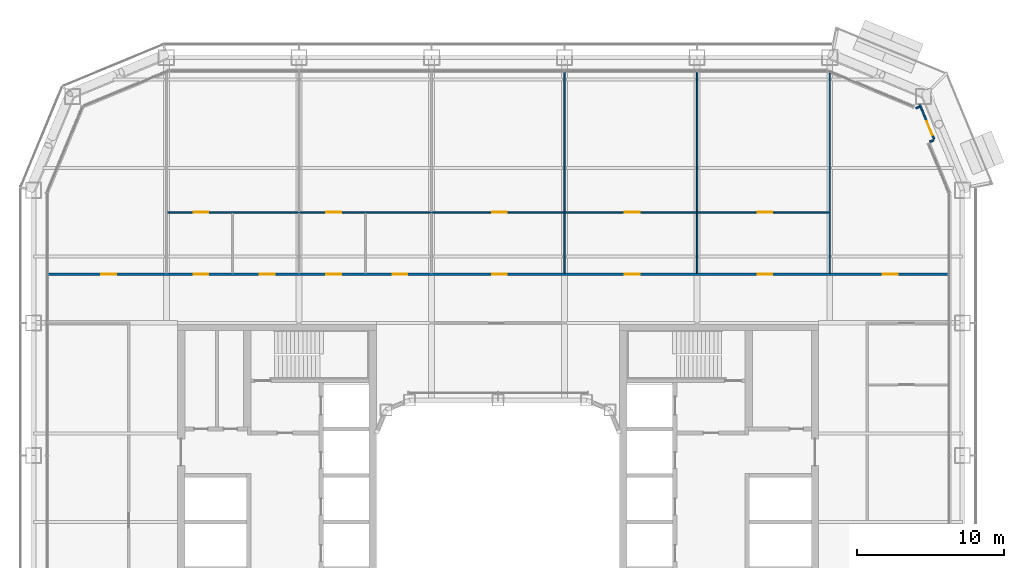
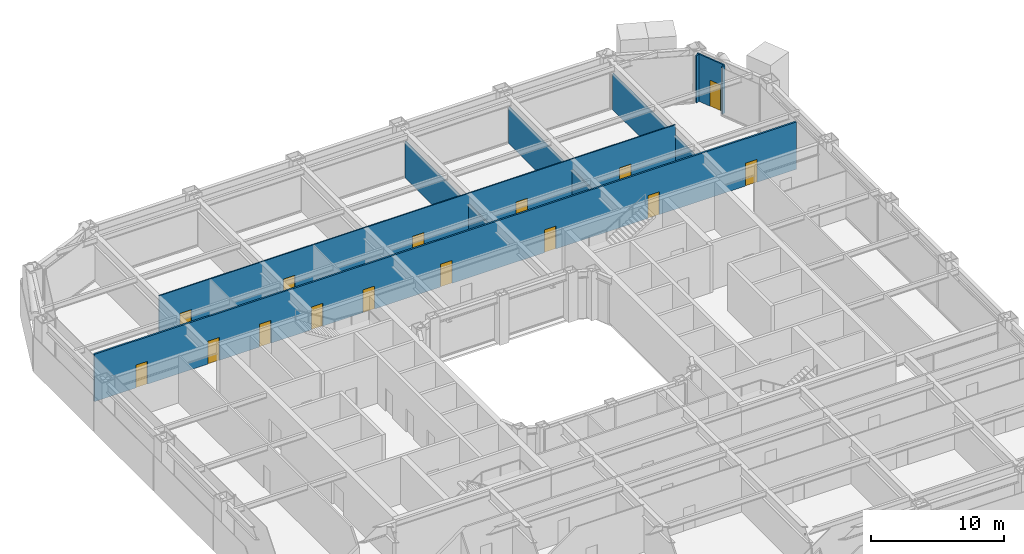
# One storey, part 16 of 30: 15 doors, 10 walls, 15 openings.
"""IFC4 building model written with IfcOpenShell, lengths in metres."""

from ifc_helpers import new_model, si_unit, direction, frame, frame_2d, origin, place, context, subcontext, project, spatial, rectangle, extrude, material, layer, layer_set, type_object, element, fill, save


model = new_model("IFC4")

# Units and contexts
model_context = context("Model", 3, precision=1e-05, world=origin(), true_north=direction((0.0, 1.0)))
body_context = subcontext(model_context, "Body", "Model", "MODEL_VIEW")
ifc_project = project(units=[si_unit("LENGTHUNIT", "METRE"), si_unit("AREAUNIT", "SQUARE_METRE"), si_unit("VOLUMEUNIT", "CUBIC_METRE"), si_unit("PLANEANGLEUNIT", "RADIAN"), si_unit("MASSUNIT", "GRAM", prefix="KILO")], contexts=[model_context])

# Site, building, storey
site_placement = place(None, origin())
site = spatial("IfcSite", under=ifc_project, at=site_placement, CompositionType="ELEMENT")
building_placement = place(site_placement, origin())
building = spatial("IfcBuilding", under=site, at=building_placement, Name="Siwar Civic Tower", CompositionType="ELEMENT")
storey_placement = place(building_placement, frame((0.0, 0.0, 44.699951171875)))
storey = spatial("IfcBuildingStorey", under=building, at=storey_placement, Name="L09", CompositionType="ELEMENT", Elevation=44.699951171875)

# Wall, openings, doors
ifc_material_1 = material(Name="Gypsum board on steel studs", Category="steel")
ifc_layer_1 = layer(ifc_material_1, 0.14990234375)
ifc_layer_set_1 = layer_set([ifc_layer_1], Name="Gypsum board on steel studs")
wall_type_1 = type_object("IfcWallType", Name="CORRIDOR PARTITION 150 EI 30", PredefinedType="PARTITIONING", material=ifc_layer_set_1)
wall_1_placement = place(storey_placement, frame((-30.510009765625, 16.800048828125, 0.0), z_axis=(0.0, 0.0, 1.0), x_axis=(1.0, 0.0, 0.0)))
wall_1 = element("IfcWall", 1, at=wall_1_placement, inside=storey, type_object=wall_type_1, Name="L09/wall/P14", PredefinedType="PARTITIONING", context=body_context, shape_type="SweptSolid", body=[
    extrude(rectangle(XDim=61.02001953125, YDim=0.14990234375, at=frame_2d((30.510009765625, 0.0))), origin(), (0.0, 0.0, 1.0), 4.35009765625),
])
opening_1_placement = place(wall_1_placement, frame((9.860107421875, 0.0, 0.0)))
opening_1 = element("IfcOpeningElement", 2, at=opening_1_placement, cuts=wall_1, Name="Opening D1", PredefinedType="OPENING", context=body_context, shape_type="SweptSolid", body=[
    extrude(rectangle(XDim=1.0, YDim=2.10009765625, at=frame_2d((0.5, 1.050048828125))), frame((0.0, 0.0849609375, 0.0), z_axis=(0.0, -1.0, 0.0), x_axis=(1.0, 0.0, 0.0)), (0.0, 0.0, 1.0), 0.169921875),
])
opening_2_placement = place(wall_1_placement, frame((14.360107421875, 0.0, 0.0)))
opening_2 = element("IfcOpeningElement", 3, at=opening_2_placement, cuts=wall_1, Name="Opening D1", PredefinedType="OPENING", context=body_context, shape_type="SweptSolid", body=[
    extrude(rectangle(XDim=1.0, YDim=2.10009765625, at=frame_2d((0.5, 1.050048828125))), frame((0.0, 0.0849609375, 0.0), z_axis=(0.0, -1.0, 0.0), x_axis=(1.0, 0.0, 0.0)), (0.0, 0.0, 1.0), 0.169921875),
])
opening_3_placement = place(wall_1_placement, frame((18.860107421875, 0.0, 0.0)))
opening_3 = element("IfcOpeningElement", 4, at=opening_3_placement, cuts=wall_1, Name="Opening D1", PredefinedType="OPENING", context=body_context, shape_type="SweptSolid", body=[
    extrude(rectangle(XDim=1.0, YDim=2.10009765625, at=frame_2d((0.5, 1.050048828125))), frame((0.0, 0.0849609375, 0.0), z_axis=(0.0, -1.0, 0.0), x_axis=(1.0, 0.0, 0.0)), (0.0, 0.0, 1.0), 0.169921875),
])
opening_4_placement = place(wall_1_placement, frame((23.360107421875, 0.0, 0.0)))
opening_4 = element("IfcOpeningElement", 5, at=opening_4_placement, cuts=wall_1, Name="Opening D1", PredefinedType="OPENING", context=body_context, shape_type="SweptSolid", body=[
    extrude(rectangle(XDim=1.0, YDim=2.10009765625, at=frame_2d((0.5, 1.050048828125))), frame((0.0, 0.0849609375, 0.0), z_axis=(0.0, -1.0, 0.0), x_axis=(1.0, 0.0, 0.0)), (0.0, 0.0, 1.0), 0.169921875),
])
opening_5_placement = place(wall_1_placement, frame((30.110107421875, 0.0, 0.0)))
opening_5 = element("IfcOpeningElement", 6, at=opening_5_placement, cuts=wall_1, Name="Opening D1", PredefinedType="OPENING", context=body_context, shape_type="SweptSolid", body=[
    extrude(rectangle(XDim=1.0, YDim=2.10009765625, at=frame_2d((0.5, 1.050048828125))), frame((0.0, 0.0849609375, 0.0), z_axis=(0.0, -1.0, 0.0), x_axis=(1.0, 0.0, 0.0)), (0.0, 0.0, 1.0), 0.169921875),
])
opening_6_placement = place(wall_1_placement, frame((39.110107421875, 0.0, 0.0)))
opening_6 = element("IfcOpeningElement", 7, at=opening_6_placement, cuts=wall_1, Name="Opening D1", PredefinedType="OPENING", context=body_context, shape_type="SweptSolid", body=[
    extrude(rectangle(XDim=1.0, YDim=2.10009765625, at=frame_2d((0.5, 1.050048828125))), frame((0.0, 0.0849609375, 0.0), z_axis=(0.0, -1.0, 0.0), x_axis=(1.0, 0.0, 0.0)), (0.0, 0.0, 1.0), 0.169921875),
])
opening_7_placement = place(wall_1_placement, frame((48.110107421875, 0.0, 0.0)))
opening_7 = element("IfcOpeningElement", 8, at=opening_7_placement, cuts=wall_1, Name="Opening D1", PredefinedType="OPENING", context=body_context, shape_type="SweptSolid", body=[
    extrude(rectangle(XDim=1.0, YDim=2.10009765625, at=frame_2d((0.5, 1.050048828125))), frame((0.0, 0.0849609375, 0.0), z_axis=(0.0, -1.0, 0.0), x_axis=(1.0, 0.0, 0.0)), (0.0, 0.0, 1.0), 0.169921875),
])
opening_8_placement = place(wall_1_placement, frame((3.610107421875, 0.0, 0.0)))
opening_8 = element("IfcOpeningElement", 9, at=opening_8_placement, cuts=wall_1, Name="Opening D1", PredefinedType="OPENING", context=body_context, shape_type="SweptSolid", body=[
    extrude(rectangle(XDim=1.0, YDim=2.10009765625, at=frame_2d((0.5, 1.050048828125))), frame((0.0, 0.0849609375, 0.0), z_axis=(0.0, -1.0, 0.0), x_axis=(1.0, 0.0, 0.0)), (0.0, 0.0, 1.0), 0.169921875),
])
opening_9_placement = place(wall_1_placement, frame((56.6201171875, 0.0, 0.0)))
opening_9 = element("IfcOpeningElement", 10, at=opening_9_placement, cuts=wall_1, Name="Opening D1", PredefinedType="OPENING", context=body_context, shape_type="SweptSolid", body=[
    extrude(rectangle(XDim=1.0, YDim=2.10009765625, at=frame_2d((0.5, 1.050048828125))), frame((0.0, 0.0849609375, 0.0), z_axis=(0.0, -1.0, 0.0), x_axis=(1.0, 0.0, 0.0)), (0.0, 0.0, 1.0), 0.169921875),
])
ifc_material_2 = material(Name="Timber, painted", Category="wood")
door_type_1 = type_object("IfcDoorType", Name="DOOR 1000 X 2100 FD30", OperationType="SINGLE_SWING_LEFT", PredefinedType="DOOR", material=ifc_material_2)
door_1_placement = place(opening_1_placement, origin())
door_1 = element("IfcDoor", 11, at=door_1_placement, inside=storey, type_object=door_type_1, Name="L09-D01", OperationType="SINGLE_SWING_LEFT", OverallHeight=2.10009765625, OverallWidth=1.0, PredefinedType="DOOR", context=body_context, shape_type="SweptSolid", body=[
    extrude(rectangle(XDim=1.0, YDim=2.10009765625, at=frame_2d((0.5, 1.050048828125))), frame((0.0, 0.02490234375, 0.0), z_axis=(0.0, -1.0, 0.0), x_axis=(1.0, 0.0, 0.0)), (0.0, 0.0, 1.0), 0.050048828125),
])
fill(opening_1, door_1)
door_2_placement = place(opening_2_placement, origin())
door_2 = element("IfcDoor", 12, at=door_2_placement, inside=storey, type_object=door_type_1, Name="L09-D02", OperationType="SINGLE_SWING_RIGHT", OverallHeight=2.10009765625, OverallWidth=1.0, PredefinedType="DOOR", context=body_context, shape_type="SweptSolid", body=[
    extrude(rectangle(XDim=1.0, YDim=2.10009765625, at=frame_2d((0.5, 1.050048828125))), frame((0.0, 0.02490234375, 0.0), z_axis=(0.0, -1.0, 0.0), x_axis=(1.0, 0.0, 0.0)), (0.0, 0.0, 1.0), 0.050048828125),
])
fill(opening_2, door_2)
door_3_placement = place(opening_3_placement, origin())
door_3 = element("IfcDoor", 13, at=door_3_placement, inside=storey, type_object=door_type_1, Name="L09-D04", OperationType="SINGLE_SWING_RIGHT", OverallHeight=2.10009765625, OverallWidth=1.0, PredefinedType="DOOR", context=body_context, shape_type="SweptSolid", body=[
    extrude(rectangle(XDim=1.0, YDim=2.10009765625, at=frame_2d((0.5, 1.050048828125))), frame((0.0, 0.02490234375, 0.0), z_axis=(0.0, -1.0, 0.0), x_axis=(1.0, 0.0, 0.0)), (0.0, 0.0, 1.0), 0.050048828125),
])
fill(opening_3, door_3)
door_4_placement = place(opening_4_placement, origin())
door_4 = element("IfcDoor", 14, at=door_4_placement, inside=storey, type_object=door_type_1, Name="L09-D05", OperationType="SINGLE_SWING_LEFT", OverallHeight=2.10009765625, OverallWidth=1.0, PredefinedType="DOOR", context=body_context, shape_type="SweptSolid", body=[
    extrude(rectangle(XDim=1.0, YDim=2.10009765625, at=frame_2d((0.5, 1.050048828125))), frame((0.0, 0.02490234375, 0.0), z_axis=(0.0, -1.0, 0.0), x_axis=(1.0, 0.0, 0.0)), (0.0, 0.0, 1.0), 0.050048828125),
])
fill(opening_4, door_4)
door_5_placement = place(opening_5_placement, origin())
door_5 = element("IfcDoor", 15, at=door_5_placement, inside=storey, type_object=door_type_1, Name="L09-D07", OperationType="SINGLE_SWING_LEFT", OverallHeight=2.10009765625, OverallWidth=1.0, PredefinedType="DOOR", context=body_context, shape_type="SweptSolid", body=[
    extrude(rectangle(XDim=1.0, YDim=2.10009765625, at=frame_2d((0.5, 1.050048828125))), frame((0.0, 0.02490234375, 0.0), z_axis=(0.0, -1.0, 0.0), x_axis=(1.0, 0.0, 0.0)), (0.0, 0.0, 1.0), 0.050048828125),
])
fill(opening_5, door_5)
door_6_placement = place(opening_6_placement, origin())
door_6 = element("IfcDoor", 16, at=door_6_placement, inside=storey, type_object=door_type_1, Name="L09-D09", OperationType="SINGLE_SWING_LEFT", OverallHeight=2.10009765625, OverallWidth=1.0, PredefinedType="DOOR", context=body_context, shape_type="SweptSolid", body=[
    extrude(rectangle(XDim=1.0, YDim=2.10009765625, at=frame_2d((0.5, 1.050048828125))), frame((0.0, 0.02490234375, 0.0), z_axis=(0.0, -1.0, 0.0), x_axis=(1.0, 0.0, 0.0)), (0.0, 0.0, 1.0), 0.050048828125),
])
fill(opening_6, door_6)
door_7_placement = place(opening_7_placement, origin())
door_7 = element("IfcDoor", 17, at=door_7_placement, inside=storey, type_object=door_type_1, Name="L09-D11", OperationType="SINGLE_SWING_LEFT", OverallHeight=2.10009765625, OverallWidth=1.0, PredefinedType="DOOR", context=body_context, shape_type="SweptSolid", body=[
    extrude(rectangle(XDim=1.0, YDim=2.10009765625, at=frame_2d((0.5, 1.050048828125))), frame((0.0, 0.02490234375, 0.0), z_axis=(0.0, -1.0, 0.0), x_axis=(1.0, 0.0, 0.0)), (0.0, 0.0, 1.0), 0.050048828125),
])
fill(opening_7, door_7)
door_8_placement = place(opening_8_placement, origin())
door_8 = element("IfcDoor", 18, at=door_8_placement, inside=storey, type_object=door_type_1, Name="L09-D24", OperationType="SINGLE_SWING_RIGHT", OverallHeight=2.10009765625, OverallWidth=1.0, PredefinedType="DOOR", context=body_context, shape_type="SweptSolid", body=[
    extrude(rectangle(XDim=1.0, YDim=2.10009765625, at=frame_2d((0.5, 1.050048828125))), frame((0.0, 0.02490234375, 0.0), z_axis=(0.0, -1.0, 0.0), x_axis=(1.0, 0.0, 0.0)), (0.0, 0.0, 1.0), 0.050048828125),
])
fill(opening_8, door_8)
door_9_placement = place(opening_9_placement, origin())
door_9 = element("IfcDoor", 19, at=door_9_placement, inside=storey, type_object=door_type_1, Name="L09-D25", OperationType="SINGLE_SWING_LEFT", OverallHeight=2.10009765625, OverallWidth=1.0, PredefinedType="DOOR", context=body_context, shape_type="SweptSolid", body=[
    extrude(rectangle(XDim=1.0, YDim=2.10009765625, at=frame_2d((0.5, 1.050048828125))), frame((0.0, 0.02490234375, 0.0), z_axis=(0.0, -1.0, 0.0), x_axis=(1.0, 0.0, 0.0)), (0.0, 0.0, 1.0), 0.050048828125),
])
fill(opening_9, door_9)

# Walls
ifc_material_3 = material(Name="Aluminium clad insulated panel", Category="aluminium")
ifc_layer_2 = layer(ifc_material_3, 0.1201171875)
ifc_layer_set_2 = layer_set([ifc_layer_2], Name="Aluminium clad insulated panel")
wall_type_2 = type_object("IfcWallType", Name="ENV-WALL-BAL", PredefinedType="STANDARD", material=ifc_layer_set_2)
wall_2_placement = place(storey_placement, frame((29.284912109375, 25.783447265625, 0.0), z_axis=(0.0, 0.0, 1.0), x_axis=(0.923772220778, 0.382942403136, 0.0)))
element("IfcWall", 20, at=wall_2_placement, inside=storey, type_object=wall_type_2, Name="Balcony door wall return NE1", PredefinedType="STANDARD", context=body_context, shape_type="SweptSolid", body=[
    extrude(rectangle(XDim=0.27978515625, YDim=0.1201171875, at=frame_2d((0.139892578125, 0.0))), origin(), (0.0, 0.0, 1.0), 4.35009765625),
])
wall_3_placement = place(storey_placement, frame((28.3427734375, 28.057861328125, 0.0), z_axis=(0.0, 0.0, 1.0), x_axis=(0.923899985553, 0.382634050621, 0.0)))
element("IfcWall", 21, at=wall_3_placement, inside=storey, type_object=wall_type_2, Name="Balcony door wall return NE1", PredefinedType="STANDARD", context=body_context, shape_type="SweptSolid", body=[
    extrude(rectangle(XDim=0.280029296875, YDim=0.1201171875, at=frame_2d((0.14013671875, 0.0))), origin(), (0.0, 0.0, 1.0), 4.35009765625),
])

# Wall, opening, door
wall_4_placement = place(storey_placement, frame((29.575927734375, 25.968994140625, 0.0), z_axis=(0.0, 0.0, 1.0), x_axis=(-0.382640634603, 0.923897258763, 0.0)))
wall_4 = element("IfcWall", 22, at=wall_4_placement, inside=storey, type_object=wall_type_2, Name="Balcony door wall NE1", PredefinedType="STANDARD", context=body_context, shape_type="SweptSolid", body=[
    extrude(rectangle(XDim=2.5380859375, YDim=0.1201171875, at=frame_2d((1.26904296875, 0.0))), origin(), (0.0, 0.0, 1.0), 4.35009765625),
])
opening_10_placement = place(wall_4_placement, frame((0.300048828125, 0.0, 0.0)))
opening_10 = element("IfcOpeningElement", 23, at=opening_10_placement, cuts=wall_4, Name="Opening D-BAL", PredefinedType="OPENING", context=body_context, shape_type="SweptSolid", body=[
    extrude(rectangle(XDim=1.0, YDim=2.39990234375, at=frame_2d((0.5, 1.199951171875))), frame((0.0, 0.070068359375, 0.0), z_axis=(0.0, -1.0, 0.0), x_axis=(1.0, 0.0, 0.0)), (0.0, 0.0, 1.0), 0.14013671875),
])
ifc_material_4 = material(Name="Aluminium and glass", Category="aluminium")
door_type_2 = type_object("IfcDoorType", Name="ENV-DOOR-BAL", OperationType="SINGLE_SWING_LEFT", PredefinedType="DOOR", material=ifc_material_4)
door_10_placement = place(opening_10_placement, origin())
door_10 = element("IfcDoor", 24, at=door_10_placement, inside=storey, type_object=door_type_2, Name="Balcony door NE", OperationType="SINGLE_SWING_LEFT", OverallHeight=2.39990234375, OverallWidth=1.0, PredefinedType="DOOR", context=body_context, shape_type="SweptSolid", body=[
    extrude(rectangle(XDim=1.0, YDim=2.39990234375, at=frame_2d((0.5, 1.199951171875))), frame((0.0, 0.02490234375, 0.0), z_axis=(0.0, -1.0, 0.0), x_axis=(1.0, 0.0, 0.0)), (0.0, 0.0, 1.0), 0.050048828125),
])
fill(opening_10, door_10)

# Wall, openings, doors
ifc_material_5 = material(Name="Gypsum board on steel studs", Category="steel")
ifc_layer_3 = layer(ifc_material_5, 0.10009765625)
ifc_layer_set_3 = layer_set([ifc_layer_3], Name="Gypsum board on steel studs")
wall_type_3 = type_object("IfcWallType", Name="PARTITION 100 GYPSUM", PredefinedType="PARTITIONING", material=ifc_layer_set_3)
wall_5_placement = place(storey_placement, frame((-22.449951171875, 21.0, 0.0), z_axis=(0.0, 0.0, 1.0), x_axis=(1.0, 0.0, 0.0)))
wall_5 = element("IfcWall", 25, at=wall_5_placement, inside=storey, type_object=wall_type_3, Name="L09/wall/P15", PredefinedType="PARTITIONING", context=body_context, shape_type="SweptSolid", body=[
    extrude(rectangle(XDim=44.89990234375, YDim=0.10009765625, at=frame_2d((22.449951171875, 0.0))), origin(), (0.0, 0.0, 1.0), 4.35009765625),
])
opening_11_placement = place(wall_5_placement, frame((1.800048828125, 0.0, 0.0)))
opening_11 = element("IfcOpeningElement", 26, at=opening_11_placement, cuts=wall_5, Name="Opening D2", PredefinedType="OPENING", context=body_context, shape_type="SweptSolid", body=[
    extrude(rectangle(XDim=1.0, YDim=2.10009765625, at=frame_2d((0.5, 1.050048828125))), frame((0.0, 0.06005859375, 0.0), z_axis=(0.0, -1.0, 0.0), x_axis=(1.0, 0.0, 0.0)), (0.0, 0.0, 1.0), 0.1201171875),
])
opening_12_placement = place(wall_5_placement, frame((10.800048828125, 0.0, 0.0)))
opening_12 = element("IfcOpeningElement", 27, at=opening_12_placement, cuts=wall_5, Name="Opening D2", PredefinedType="OPENING", context=body_context, shape_type="SweptSolid", body=[
    extrude(rectangle(XDim=1.0, YDim=2.10009765625, at=frame_2d((0.5, 1.050048828125))), frame((0.0, 0.06005859375, 0.0), z_axis=(0.0, -1.0, 0.0), x_axis=(1.0, 0.0, 0.0)), (0.0, 0.0, 1.0), 0.1201171875),
])
opening_13_placement = place(wall_5_placement, frame((22.050048828125, 0.0, 0.0)))
opening_13 = element("IfcOpeningElement", 28, at=opening_13_placement, cuts=wall_5, Name="Opening D2", PredefinedType="OPENING", context=body_context, shape_type="SweptSolid", body=[
    extrude(rectangle(XDim=1.0, YDim=2.10009765625, at=frame_2d((0.5, 1.050048828125))), frame((0.0, 0.06005859375, 0.0), z_axis=(0.0, -1.0, 0.0), x_axis=(1.0, 0.0, 0.0)), (0.0, 0.0, 1.0), 0.1201171875),
])
opening_14_placement = place(wall_5_placement, frame((31.050048828125, 0.0, 0.0)))
opening_14 = element("IfcOpeningElement", 29, at=opening_14_placement, cuts=wall_5, Name="Opening D2", PredefinedType="OPENING", context=body_context, shape_type="SweptSolid", body=[
    extrude(rectangle(XDim=1.0, YDim=2.10009765625, at=frame_2d((0.5, 1.050048828125))), frame((0.0, 0.06005859375, 0.0), z_axis=(0.0, -1.0, 0.0), x_axis=(1.0, 0.0, 0.0)), (0.0, 0.0, 1.0), 0.1201171875),
])
opening_15_placement = place(wall_5_placement, frame((40.050048828125, 0.0, 0.0)))
opening_15 = element("IfcOpeningElement", 30, at=opening_15_placement, cuts=wall_5, Name="Opening D2", PredefinedType="OPENING", context=body_context, shape_type="SweptSolid", body=[
    extrude(rectangle(XDim=1.0, YDim=2.10009765625, at=frame_2d((0.5, 1.050048828125))), frame((0.0, 0.06005859375, 0.0), z_axis=(0.0, -1.0, 0.0), x_axis=(1.0, 0.0, 0.0)), (0.0, 0.0, 1.0), 0.1201171875),
])
ifc_material_6 = material(Name="Timber, painted", Category="wood")
door_type_3 = type_object("IfcDoorType", Name="DOOR 1000 X 2100", OperationType="SINGLE_SWING_LEFT", PredefinedType="DOOR", material=ifc_material_6)
door_11_placement = place(opening_11_placement, origin())
door_11 = element("IfcDoor", 31, at=door_11_placement, inside=storey, type_object=door_type_3, Name="L09-D03", OperationType="SINGLE_SWING_LEFT", OverallHeight=2.10009765625, OverallWidth=1.0, PredefinedType="DOOR", context=body_context, shape_type="SweptSolid", body=[
    extrude(rectangle(XDim=1.0, YDim=2.10009765625, at=frame_2d((0.5, 1.050048828125))), frame((0.0, 0.02490234375, 0.0), z_axis=(0.0, -1.0, 0.0), x_axis=(1.0, 0.0, 0.0)), (0.0, 0.0, 1.0), 0.050048828125),
])
fill(opening_11, door_11)
door_12_placement = place(opening_12_placement, origin())
door_12 = element("IfcDoor", 32, at=door_12_placement, inside=storey, type_object=door_type_3, Name="L09-D06", OperationType="SINGLE_SWING_RIGHT", OverallHeight=2.10009765625, OverallWidth=1.0, PredefinedType="DOOR", context=body_context, shape_type="SweptSolid", body=[
    extrude(rectangle(XDim=1.0, YDim=2.10009765625, at=frame_2d((0.5, 1.050048828125))), frame((0.0, 0.02490234375, 0.0), z_axis=(0.0, -1.0, 0.0), x_axis=(1.0, 0.0, 0.0)), (0.0, 0.0, 1.0), 0.050048828125),
])
fill(opening_12, door_12)
door_13_placement = place(opening_13_placement, origin())
door_13 = element("IfcDoor", 33, at=door_13_placement, inside=storey, type_object=door_type_3, Name="L09-D08", OperationType="SINGLE_SWING_RIGHT", OverallHeight=2.10009765625, OverallWidth=1.0, PredefinedType="DOOR", context=body_context, shape_type="SweptSolid", body=[
    extrude(rectangle(XDim=1.0, YDim=2.10009765625, at=frame_2d((0.5, 1.050048828125))), frame((0.0, 0.02490234375, 0.0), z_axis=(0.0, -1.0, 0.0), x_axis=(1.0, 0.0, 0.0)), (0.0, 0.0, 1.0), 0.050048828125),
])
fill(opening_13, door_13)
door_14_placement = place(opening_14_placement, origin())
door_14 = element("IfcDoor", 34, at=door_14_placement, inside=storey, type_object=door_type_3, Name="L09-D10", OperationType="SINGLE_SWING_RIGHT", OverallHeight=2.10009765625, OverallWidth=1.0, PredefinedType="DOOR", context=body_context, shape_type="SweptSolid", body=[
    extrude(rectangle(XDim=1.0, YDim=2.10009765625, at=frame_2d((0.5, 1.050048828125))), frame((0.0, 0.02490234375, 0.0), z_axis=(0.0, -1.0, 0.0), x_axis=(1.0, 0.0, 0.0)), (0.0, 0.0, 1.0), 0.050048828125),
])
fill(opening_14, door_14)
door_15_placement = place(opening_15_placement, origin())
door_15 = element("IfcDoor", 35, at=door_15_placement, inside=storey, type_object=door_type_3, Name="L09-D12", OperationType="SINGLE_SWING_RIGHT", OverallHeight=2.10009765625, OverallWidth=1.0, PredefinedType="DOOR", context=body_context, shape_type="SweptSolid", body=[
    extrude(rectangle(XDim=1.0, YDim=2.10009765625, at=frame_2d((0.5, 1.050048828125))), frame((0.0, 0.02490234375, 0.0), z_axis=(0.0, -1.0, 0.0), x_axis=(1.0, 0.0, 0.0)), (0.0, 0.0, 1.0), 0.050048828125),
])
fill(opening_15, door_15)

# Walls
wall_6_placement = place(storey_placement, frame((4.5, 16.875, 0.0), z_axis=(0.0, 0.0, 1.0), x_axis=(0.0, 1.0, 0.0)))
element("IfcWall", 36, at=wall_6_placement, inside=storey, type_object=wall_type_3, Name="L09/wall/P32", PredefinedType="PARTITIONING", context=body_context, shape_type="SweptSolid", body=[
    extrude(rectangle(XDim=4.074951171875, YDim=0.10009765625, at=frame_2d((2.03759765625, 0.0))), origin(), (0.0, 0.0, 1.0), 3.35009765625),
])
wall_7_placement = place(storey_placement, frame((4.5, 21.050048828125, 0.0), z_axis=(0.0, 0.0, 1.0), x_axis=(0.0, 1.0, 0.0)))
element("IfcWall", 37, at=wall_7_placement, inside=storey, type_object=wall_type_3, Name="L09/wall/P33", PredefinedType="PARTITIONING", context=body_context, shape_type="SweptSolid", body=[
    extrude(rectangle(XDim=9.4599609375, YDim=0.10009765625, at=frame_2d((4.72998046875, 0.0))), origin(), (0.0, 0.0, 1.0), 3.35009765625),
])
wall_8_placement = place(storey_placement, frame((13.5, 16.875, 0.0), z_axis=(0.0, 0.0, 1.0), x_axis=(0.0, 1.0, 0.0)))
element("IfcWall", 38, at=wall_8_placement, inside=storey, type_object=wall_type_3, Name="L09/wall/P37", PredefinedType="PARTITIONING", context=body_context, shape_type="SweptSolid", body=[
    extrude(rectangle(XDim=4.074951171875, YDim=0.10009765625, at=frame_2d((2.03759765625, 0.0))), origin(), (0.0, 0.0, 1.0), 3.35009765625),
])
wall_9_placement = place(storey_placement, frame((13.5, 21.050048828125, 0.0), z_axis=(0.0, 0.0, 1.0), x_axis=(0.0, 1.0, 0.0)))
element("IfcWall", 39, at=wall_9_placement, inside=storey, type_object=wall_type_3, Name="L09/wall/P38", PredefinedType="PARTITIONING", context=body_context, shape_type="SweptSolid", body=[
    extrude(rectangle(XDim=9.4599609375, YDim=0.10009765625, at=frame_2d((4.72998046875, 0.0))), origin(), (0.0, 0.0, 1.0), 3.35009765625),
])
wall_10_placement = place(storey_placement, frame((22.5, 16.875, 0.0), z_axis=(0.0, 0.0, 1.0), x_axis=(0.0, 1.0, 0.0)))
element("IfcWall", 40, at=wall_10_placement, inside=storey, type_object=wall_type_3, Name="L09/wall/P41", PredefinedType="PARTITIONING", context=body_context, shape_type="SweptSolid", body=[
    extrude(rectangle(XDim=13.552978515625, YDim=0.10009765625, at=frame_2d((6.7763671875, 0.0))), origin(), (0.0, 0.0, 1.0), 3.35009765625),
])

save(model, "model.ifc")
